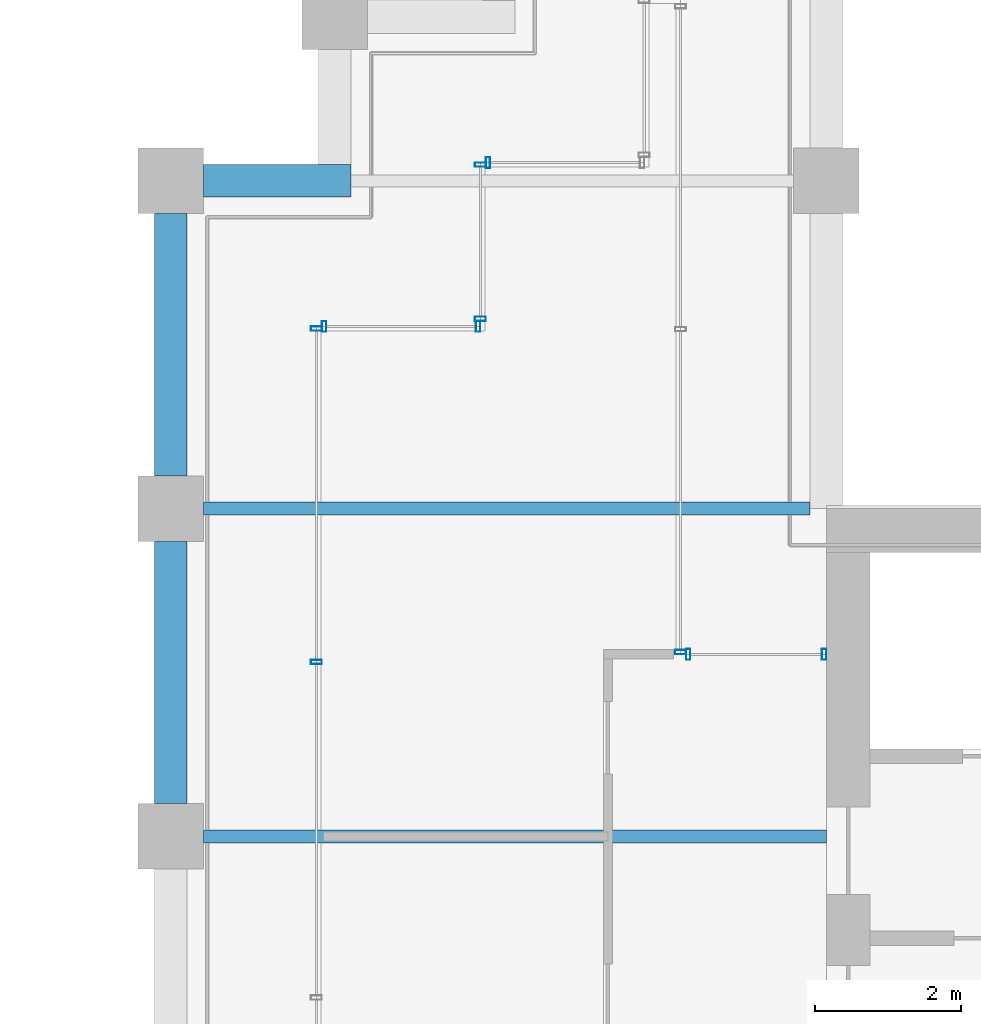
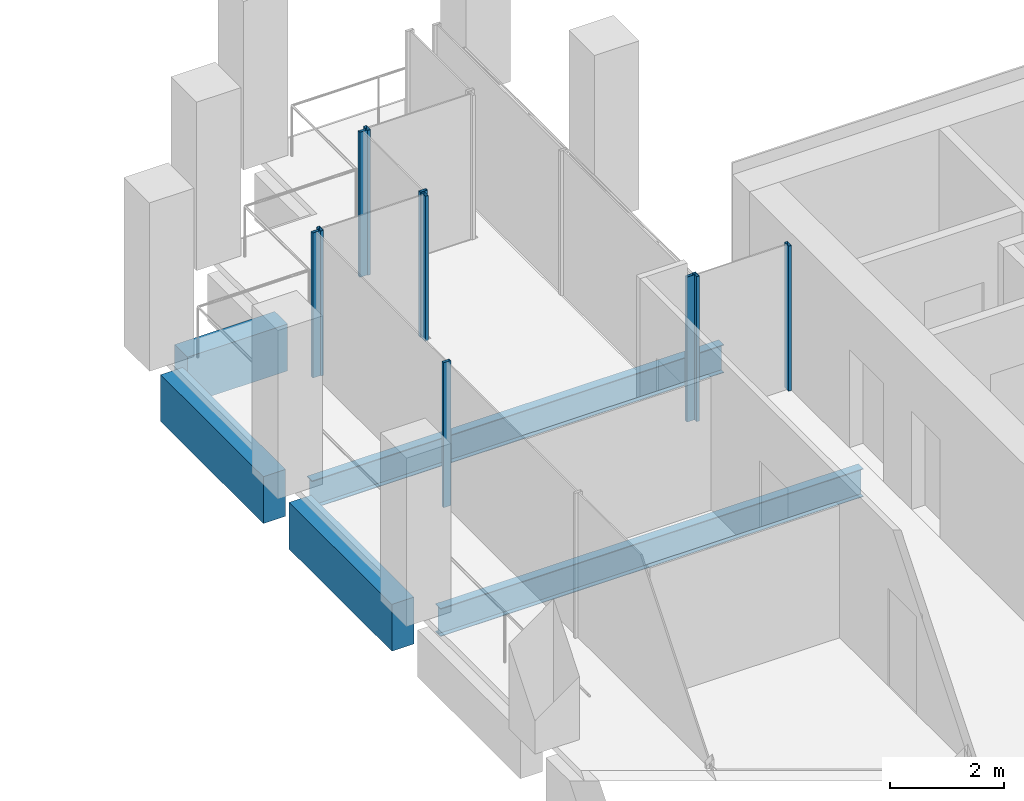
# One storey, part 32 of 40: 10 members, 5 beams, 6 elements without a shape of their own.
"""IFC4 building model written with IfcOpenShell, lengths in metres."""

from ifc_helpers import new_model, si_unit, direction, frame, origin, origin_2d, place, context, subcontext, project, spatial, rectangle, hollow_rectangle, i_section, extrude, material, material_profile, profile_set, type_object, element, aggregate, save


model = new_model("IFC4")

# Units and contexts
model_context = context("Model", 3, precision=1e-05, world=origin(), true_north=direction((0.0, 1.0)))
body_context = subcontext(model_context, "Body", "Model", "MODEL_VIEW")
ifc_project = project(units=[si_unit("LENGTHUNIT", "METRE"), si_unit("AREAUNIT", "SQUARE_METRE"), si_unit("VOLUMEUNIT", "CUBIC_METRE"), si_unit("PLANEANGLEUNIT", "RADIAN"), si_unit("MASSUNIT", "GRAM", prefix="KILO")], contexts=[model_context])

# Site, building, storey
site_placement = place(None, origin())
site = spatial("IfcSite", under=ifc_project, at=site_placement, CompositionType="ELEMENT")
building_placement = place(site_placement, origin())
building = spatial("IfcBuilding", under=site, at=building_placement, Name="Altepetl Exchange Towers", CompositionType="ELEMENT")
storey_placement = place(building_placement, frame((0.0, 0.0, 165.39990234375)))
storey = spatial("IfcBuildingStorey", under=building, at=storey_placement, Name="L41", CompositionType="ELEMENT", Elevation=165.39990234375)

# Beams
ifc_material_1 = material(Name="Steel S355", Category="steel")
ifc_material_profile_1 = material_profile(ifc_material_1, i_section(OverallWidth=0.177978515625, OverallDepth=0.59912109375, WebThickness=0.010009765625, FlangeThickness=0.0126953125, at=origin_2d()), Name="W24X55")
ifc_profile_set_1 = profile_set([ifc_material_profile_1], Name="Steel S355")
beam_type_1 = type_object("IfcBeamType", Name="Floor beam W24X55", PredefinedType="BEAM", material=ifc_profile_set_1)
beam_1_placement = place(storey_placement, frame((94.949951171875, 45.0, -0.449462890625), z_axis=(1.0, 0.0, 0.0), x_axis=(0.0, 1.0, 0.0)))
element("IfcBeam", 1, at=beam_1_placement, inside=storey, type_object=beam_type_1, Name="bm:B:L41:005", PredefinedType="BEAM", context=body_context, shape_type="SweptSolid", body=[
    extrude(i_section(OverallWidth=0.177978515625, OverallDepth=0.59912109375, WebThickness=0.010009765625, FlangeThickness=0.0126953125, at=origin_2d()), origin(), (0.0, 0.0, 1.0), 8.550048828125),
])
beam_2_placement = place(storey_placement, frame((94.949951171875, 49.5, -0.449462890625), z_axis=(1.0, 0.0, 0.0), x_axis=(0.0, 1.0, 0.0)))
element("IfcBeam", 2, at=beam_2_placement, inside=storey, type_object=beam_type_1, Name="bm:B:L41:006", PredefinedType="BEAM", context=body_context, shape_type="SweptSolid", body=[
    extrude(i_section(OverallWidth=0.177978515625, OverallDepth=0.59912109375, WebThickness=0.010009765625, FlangeThickness=0.0126953125, at=origin_2d()), origin(), (0.0, 0.0, 1.0), 8.324951171875),
])

# Curtain wall, members
ifc_material_2 = material(Name="Aluminium 6063-T6 glazing", Category="aluminium")
curtain_wall_type = type_object("IfcCurtainWallType", Name="Loggia glazing system", PredefinedType="NOTDEFINED", material=ifc_material_2)
curtain_wall_1_placement = place(storey_placement, origin())
curtain_wall_1 = element("IfcCurtainWall", 3, at=curtain_wall_1_placement, inside=storey, type_object=curtain_wall_type, Name="CW1 run", PredefinedType="NOTDEFINED")
ifc_material_3 = material(Name="Aluminium 6063-T6", Category="aluminium")
ifc_material_profile_2 = material_profile(ifc_material_3, hollow_rectangle(XDim=0.06005859375, YDim=0.14990234375, WallThickness=0.0029296875, at=origin_2d()), Name="Mullion 60x150 aluminium")
ifc_profile_set_2 = profile_set([ifc_material_profile_2], Name="Aluminium 6063-T6")
member_type = type_object("IfcMemberType", Name="Mullion 60x150 aluminium", PredefinedType="MULLION", material=ifc_profile_set_2)
member_1_placement = place(storey_placement, frame((103.469970703125, 47.5, 0.0), z_axis=(0.0, 0.0, 1.0), x_axis=(-1.0, 0.0, 0.0)))
member_1 = element("IfcMember", 4, at=member_1_placement, type_object=member_type, Name="MU1 mullion", PredefinedType="MULLION", context=body_context, shape_type="SweptSolid", body=[
    extrude(hollow_rectangle(XDim=0.06005859375, YDim=0.14990234375, WallThickness=0.0029296875, at=origin_2d()), origin(), (0.0, 0.0, 1.0), 3.10009765625),
])
member_2_placement = place(storey_placement, frame((101.60498046875, 47.5, 0.0), z_axis=(0.0, 0.0, 1.0), x_axis=(-1.0, 0.0, 0.0)))
member_2 = element("IfcMember", 5, at=member_2_placement, type_object=member_type, Name="MU1 mullion", PredefinedType="MULLION", context=body_context, shape_type="SweptSolid", body=[
    extrude(hollow_rectangle(XDim=0.06005859375, YDim=0.14990234375, WallThickness=0.0029296875, at=origin_2d()), origin(), (0.0, 0.0, 1.0), 3.10009765625),
])
aggregate(curtain_wall_1, [member_1, member_2])

# Curtain wall, member
curtain_wall_2_placement = place(storey_placement, origin())
curtain_wall_2 = element("IfcCurtainWall", 6, at=curtain_wall_2_placement, inside=storey, type_object=curtain_wall_type, Name="CW1 run", PredefinedType="NOTDEFINED")
member_3_placement = place(storey_placement, frame((101.5, 47.530029296875, 0.0), z_axis=(0.0, 0.0, 1.0), x_axis=(0.0, 1.0, 0.0)))
member_3 = element("IfcMember", 7, at=member_3_placement, type_object=member_type, Name="MU1 mullion", PredefinedType="MULLION", context=body_context, shape_type="SweptSolid", body=[
    extrude(hollow_rectangle(XDim=0.06005859375, YDim=0.14990234375, WallThickness=0.0029296875, at=origin_2d()), origin(), (0.0, 0.0, 1.0), 3.10009765625),
])
aggregate(curtain_wall_2, [member_3])

curtain_wall_3_placement = place(storey_placement, origin())
curtain_wall_3 = element("IfcCurtainWall", 8, at=curtain_wall_3_placement, inside=storey, type_object=curtain_wall_type, Name="CW1 run", PredefinedType="NOTDEFINED")
member_4_placement = place(storey_placement, frame((98.85498046875, 54.25, 0.0), z_axis=(0.0, 0.0, 1.0), x_axis=(-1.0, 0.0, 0.0)))
member_4 = element("IfcMember", 9, at=member_4_placement, type_object=member_type, Name="MU1 mullion", PredefinedType="MULLION", context=body_context, shape_type="SweptSolid", body=[
    extrude(hollow_rectangle(XDim=0.06005859375, YDim=0.14990234375, WallThickness=0.0029296875, at=origin_2d()), origin(), (0.0, 0.0, 1.0), 3.10009765625),
])
aggregate(curtain_wall_3, [member_4])

# Curtain wall, members
curtain_wall_4_placement = place(storey_placement, origin())
curtain_wall_4 = element("IfcCurtainWall", 10, at=curtain_wall_4_placement, inside=storey, type_object=curtain_wall_type, Name="CW1 run", PredefinedType="NOTDEFINED")
member_5_placement = place(storey_placement, frame((98.75, 54.219970703125, 0.0), z_axis=(0.0, 0.0, 1.0), x_axis=(0.0, -1.0, 0.0)))
member_5 = element("IfcMember", 11, at=member_5_placement, type_object=member_type, Name="MU1 mullion", PredefinedType="MULLION", context=body_context, shape_type="SweptSolid", body=[
    extrude(hollow_rectangle(XDim=0.06005859375, YDim=0.14990234375, WallThickness=0.0029296875, at=origin_2d()), origin(), (0.0, 0.0, 1.0), 3.10009765625),
])
member_6_placement = place(storey_placement, frame((98.75, 52.10498046875, 0.0), z_axis=(0.0, 0.0, 1.0), x_axis=(0.0, -1.0, 0.0)))
member_6 = element("IfcMember", 12, at=member_6_placement, type_object=member_type, Name="MU1 mullion", PredefinedType="MULLION", context=body_context, shape_type="SweptSolid", body=[
    extrude(hollow_rectangle(XDim=0.06005859375, YDim=0.14990234375, WallThickness=0.0029296875, at=origin_2d()), origin(), (0.0, 0.0, 1.0), 3.10009765625),
])
aggregate(curtain_wall_4, [member_5, member_6])

curtain_wall_5_placement = place(storey_placement, origin())
curtain_wall_5 = element("IfcCurtainWall", 13, at=curtain_wall_5_placement, inside=storey, type_object=curtain_wall_type, Name="CW1 run", PredefinedType="NOTDEFINED")
member_7_placement = place(storey_placement, frame((98.719970703125, 52.0, 0.0), z_axis=(0.0, 0.0, 1.0), x_axis=(-1.0, 0.0, 0.0)))
member_7 = element("IfcMember", 14, at=member_7_placement, type_object=member_type, Name="MU1 mullion", PredefinedType="MULLION", context=body_context, shape_type="SweptSolid", body=[
    extrude(hollow_rectangle(XDim=0.06005859375, YDim=0.14990234375, WallThickness=0.0029296875, at=origin_2d()), origin(), (0.0, 0.0, 1.0), 3.10009765625),
])
member_8_placement = place(storey_placement, frame((96.60498046875, 52.0, 0.0), z_axis=(0.0, 0.0, 1.0), x_axis=(-1.0, 0.0, 0.0)))
member_8 = element("IfcMember", 15, at=member_8_placement, type_object=member_type, Name="MU1 mullion", PredefinedType="MULLION", context=body_context, shape_type="SweptSolid", body=[
    extrude(hollow_rectangle(XDim=0.06005859375, YDim=0.14990234375, WallThickness=0.0029296875, at=origin_2d()), origin(), (0.0, 0.0, 1.0), 3.10009765625),
])
aggregate(curtain_wall_5, [member_7, member_8])

curtain_wall_6_placement = place(storey_placement, origin())
curtain_wall_6 = element("IfcCurtainWall", 16, at=curtain_wall_6_placement, inside=storey, type_object=curtain_wall_type, Name="CW1 run", PredefinedType="NOTDEFINED")
member_9_placement = place(storey_placement, frame((96.5, 51.969970703125, 0.0), z_axis=(0.0, 0.0, 1.0), x_axis=(0.0, -1.0, 0.0)))
member_9 = element("IfcMember", 17, at=member_9_placement, type_object=member_type, Name="MU1 mullion", PredefinedType="MULLION", context=body_context, shape_type="SweptSolid", body=[
    extrude(hollow_rectangle(XDim=0.06005859375, YDim=0.14990234375, WallThickness=0.0029296875, at=origin_2d()), origin(), (0.0, 0.0, 1.0), 3.10009765625),
])
member_10_placement = place(storey_placement, frame((96.5, 47.393798828125, 0.0), z_axis=(0.0, 0.0, 1.0), x_axis=(0.0, -1.0, 0.0)))
member_10 = element("IfcMember", 18, at=member_10_placement, type_object=member_type, Name="MU1 mullion", PredefinedType="MULLION", context=body_context, shape_type="SweptSolid", body=[
    extrude(hollow_rectangle(XDim=0.06005859375, YDim=0.14990234375, WallThickness=0.0029296875, at=origin_2d()), origin(), (0.0, 0.0, 1.0), 3.10009765625),
])
aggregate(curtain_wall_6, [member_9, member_10])

# Beams
ifc_material_4 = material(Name="Concrete C50/60 precast with cantera rosa facing", Category="concrete")
ifc_material_profile_3 = material_profile(ifc_material_4, rectangle(XDim=0.449951171875, YDim=1.0, at=origin_2d()), Name="450 x 1000")
ifc_profile_set_3 = profile_set([ifc_material_profile_3], Name="Concrete C50/60 precast with cantera rosa facing")
beam_type_2 = type_object("IfcBeamType", Name="Spandrel beam 450x1000 cantera rosa", PredefinedType="SPANDREL", material=ifc_profile_set_3)
beam_3_placement = place(storey_placement, frame((96.97509765625, 54.0, -0.64990234375), z_axis=(-1.0, 0.0, 0.0), x_axis=(0.0, -1.0, 0.0)))
element("IfcBeam", 19, at=beam_3_placement, inside=storey, type_object=beam_type_2, Name="sp:B:L41:014", PredefinedType="SPANDREL", context=body_context, shape_type="SweptSolid", body=[
    extrude(rectangle(XDim=0.449951171875, YDim=1.0, at=origin_2d()), origin(), (0.0, 0.0, 1.0), 2.025146484375),
])
for number, where, z_axis, x_axis, name in (
    (20, (94.5, 53.550048828125, -0.64990234375), (0.0, -1.0, 0.0), (1.0, 0.0, 0.0), "sp:B:L41:015"),
    (21, (94.5, 49.050048828125, -0.64990234375), (0.0, -1.0, 0.0), (1.0, 0.0, 0.0), "sp:B:L41:016"),
):
    element("IfcBeam", number, at=place(storey_placement, frame(where, z_axis=z_axis, x_axis=x_axis)), inside=storey, type_object=beam_type_2, Name=name, PredefinedType="SPANDREL", context=body_context, shape_type="SweptSolid", body=[
        extrude(rectangle(XDim=0.449951171875, YDim=1.0, at=origin_2d()), origin(), (0.0, 0.0, 1.0), 3.60009765625),
    ])

save(model, "model.ifc")
